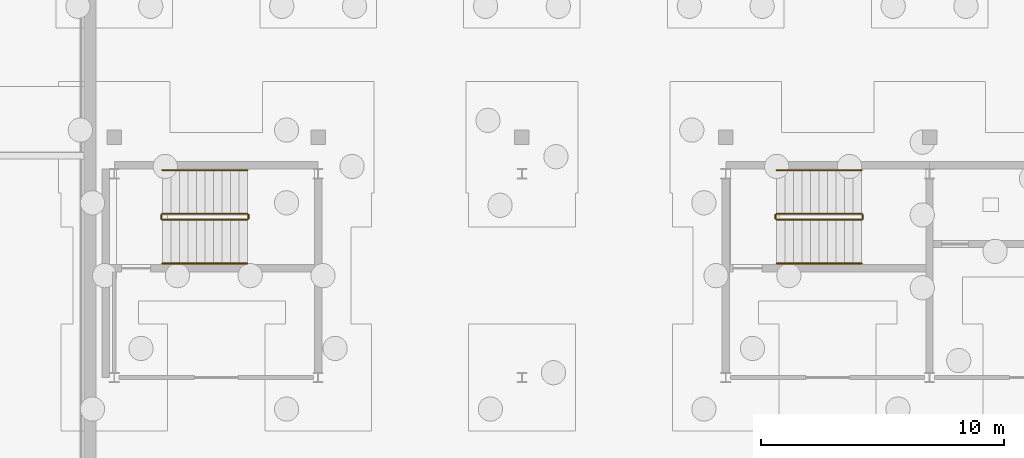
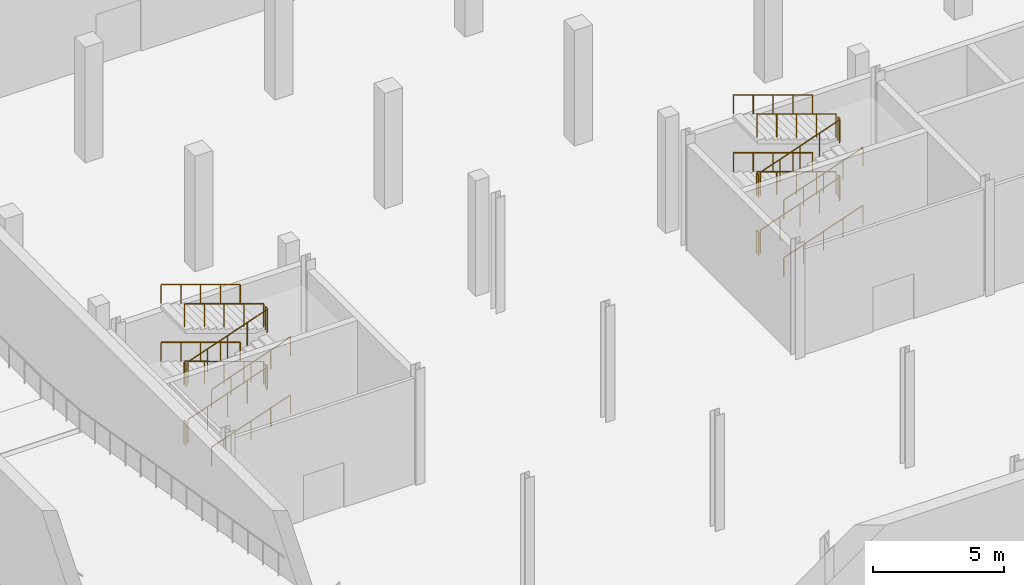
# One storey, part 25 of 29: 24 railings.
"""IFC4 building model written with IfcOpenShell, lengths in metres."""

from ifc_helpers import new_model, si_unit, direction, frame, origin, origin_2d, place, context, subcontext, project, spatial, circle, extrude, material, type_object, element, save


model = new_model("IFC4")

# Units and contexts
model_context = context("Model", 3, precision=1e-05, world=origin(), true_north=direction((0.0, 1.0)))
body_context = subcontext(model_context, "Body", "Model", "MODEL_VIEW")
ifc_project = project(units=[si_unit("LENGTHUNIT", "METRE"), si_unit("AREAUNIT", "SQUARE_METRE"), si_unit("VOLUMEUNIT", "CUBIC_METRE"), si_unit("PLANEANGLEUNIT", "RADIAN"), si_unit("MASSUNIT", "GRAM", prefix="KILO")], contexts=[model_context])

# Site, building, storey
site_placement = place(None, origin())
site = spatial("IfcSite", under=ifc_project, at=site_placement, CompositionType="ELEMENT")
building_placement = place(site_placement, origin())
building = spatial("IfcBuilding", under=site, at=building_placement, Name="Cresset Court Congress Hotel", CompositionType="ELEMENT")
storey_placement = place(building_placement, frame((0.0, 0.0, -5.39990234375)))
storey = spatial("IfcBuildingStorey", under=building, at=storey_placement, Name="B1", CompositionType="ELEMENT", Elevation=-5.39990234375)

# Railings
ifc_material_1 = material(Name="Steel and laminated glass", Category="steel")
railing_type_1 = type_object("IfcRailingType", Name="Guard 1100 steel and glass", PredefinedType="GUARDRAIL", material=ifc_material_1)
railing_1_placement = place(storey_placement, frame((10.3798828125, 23.300048828125, 0.12255859375)))
element("IfcRailing", 1, at=railing_1_placement, inside=storey, type_object=railing_type_1, Name="B1 ST-B1 stair guard 1", PredefinedType="GUARDRAIL", context=body_context, shape_type="SweptSolid", body=[
    extrude(circle(Radius=0.02392578125, at=origin_2d()), frame((0.0, 0.0, 1.076171875), z_axis=(0.943665265509, 0.0, 0.33090159666), x_axis=(0.0, 1.0, 0.0)), (0.0, 0.0, 1.0), 3.708984375),
    extrude(circle(Radius=0.02099609375, at=origin_2d()), origin(), (0.0, 0.0, 1.0), 1.052001953125),
    extrude(circle(Radius=0.02099609375, at=origin_2d()), frame((0.875, 0.0, 0.306884765625)), (0.0, 0.0, 1.0), 1.052001953125),
    extrude(circle(Radius=0.02099609375, at=origin_2d()), frame((1.75, 0.0, 0.61376953125)), (0.0, 0.0, 1.0), 1.052001953125),
    extrude(circle(Radius=0.02099609375, at=origin_2d()), frame((2.625, 0.0, 0.92041015625)), (0.0, 0.0, 1.0), 1.052001953125),
    extrude(circle(Radius=0.02099609375, at=origin_2d()), frame((3.5, 0.0, 1.227294921875)), (0.0, 0.0, 1.0), 1.052001953125),
])
railing_2_placement = place(storey_placement, frame((13.929931640625, 23.35009765625, 1.349853515625)))
element("IfcRailing", 2, at=railing_2_placement, inside=storey, type_object=railing_type_1, Name="B1 ST-B1 stair guard 2", PredefinedType="GUARDRAIL", context=body_context, shape_type="SweptSolid", body=[
    extrude(circle(Radius=0.02392578125, at=origin_2d()), frame((0.0, 0.0, 1.076171875), z_axis=(0.0, 1.0, 0.0), x_axis=(-1.0, 0.0, 0.0)), (0.0, 0.0, 1.0), 0.14990234375),
    extrude(circle(Radius=0.02099609375, at=origin_2d()), origin(), (0.0, 0.0, 1.0), 1.052001953125),
    extrude(circle(Radius=0.02099609375, at=origin_2d()), frame((0.0, 0.14990234375, 0.0)), (0.0, 0.0, 1.0), 1.052001953125),
])
railing_3_placement = place(storey_placement, frame((13.8798828125, 23.550048828125, 1.47265625)))
element("IfcRailing", 3, at=railing_3_placement, inside=storey, type_object=railing_type_1, Name="B1 ST-B1 stair guard 3", PredefinedType="GUARDRAIL", context=body_context, shape_type="SweptSolid", body=[
    extrude(circle(Radius=0.02392578125, at=origin_2d()), frame((0.0, 0.0, 1.076171875), z_axis=(-0.943665265509, 0.0, 0.33090159666), x_axis=(0.0, -1.0, 0.0)), (0.0, 0.0, 1.0), 3.708984375),
    extrude(circle(Radius=0.02099609375, at=origin_2d()), origin(), (0.0, 0.0, 1.0), 1.052001953125),
    extrude(circle(Radius=0.02099609375, at=origin_2d()), frame((-0.875, 0.0, 0.306884765625)), (0.0, 0.0, 1.0), 1.052001953125),
    extrude(circle(Radius=0.02099609375, at=origin_2d()), frame((-1.75, 0.0, 0.61376953125)), (0.0, 0.0, 1.0), 1.052001953125),
    extrude(circle(Radius=0.02099609375, at=origin_2d()), frame((-2.625, 0.0, 0.92041015625)), (0.0, 0.0, 1.0), 1.052001953125),
    extrude(circle(Radius=0.02099609375, at=origin_2d()), frame((-3.5, 0.0, 1.227294921875)), (0.0, 0.0, 1.0), 1.052001953125),
])
railing_4_placement = place(storey_placement, frame((10.330078125, 23.35009765625, 2.699951171875)))
element("IfcRailing", 4, at=railing_4_placement, inside=storey, type_object=railing_type_1, Name="B1 ST-B1 stair guard 4", PredefinedType="GUARDRAIL", context=body_context, shape_type="SweptSolid", body=[
    extrude(circle(Radius=0.02392578125, at=origin_2d()), frame((0.0, 0.0, 1.076171875), z_axis=(0.0, 1.0, 0.0), x_axis=(-1.0, 0.0, 0.0)), (0.0, 0.0, 1.0), 0.14990234375),
    extrude(circle(Radius=0.02099609375, at=origin_2d()), origin(), (0.0, 0.0, 1.0), 1.052001953125),
    extrude(circle(Radius=0.02099609375, at=origin_2d()), frame((0.0, 0.14990234375, 0.0)), (0.0, 0.0, 1.0), 1.052001953125),
])
railing_5_placement = place(storey_placement, frame((10.3798828125, 23.300048828125, 2.822509765625)))
element("IfcRailing", 5, at=railing_5_placement, inside=storey, type_object=railing_type_1, Name="B1 ST-B1 stair guard 5", PredefinedType="GUARDRAIL", context=body_context, shape_type="SweptSolid", body=[
    extrude(circle(Radius=0.02392578125, at=origin_2d()), frame((0.0, 0.0, 1.076171875), z_axis=(0.943665265509, 0.0, 0.33090159666), x_axis=(0.0, 1.0, 0.0)), (0.0, 0.0, 1.0), 3.708984375),
    extrude(circle(Radius=0.02099609375, at=origin_2d()), origin(), (0.0, 0.0, 1.0), 1.052001953125),
    extrude(circle(Radius=0.02099609375, at=origin_2d()), frame((0.875, 0.0, 0.306884765625)), (0.0, 0.0, 1.0), 1.052001953125),
    extrude(circle(Radius=0.02099609375, at=origin_2d()), frame((1.75, 0.0, 0.61376953125)), (0.0, 0.0, 1.0), 1.052001953125),
    extrude(circle(Radius=0.02099609375, at=origin_2d()), frame((2.625, 0.0, 0.92041015625)), (0.0, 0.0, 1.0), 1.052001953125),
    extrude(circle(Radius=0.02099609375, at=origin_2d()), frame((3.5, 0.0, 1.227294921875)), (0.0, 0.0, 1.0), 1.052001953125),
])
railing_6_placement = place(storey_placement, frame((13.929931640625, 23.35009765625, 4.0498046875)))
element("IfcRailing", 6, at=railing_6_placement, inside=storey, type_object=railing_type_1, Name="B1 ST-B1 stair guard 6", PredefinedType="GUARDRAIL", context=body_context, shape_type="SweptSolid", body=[
    extrude(circle(Radius=0.02392578125, at=origin_2d()), frame((0.0, 0.0, 1.076171875), z_axis=(0.0, 1.0, 0.0), x_axis=(-1.0, 0.0, 0.0)), (0.0, 0.0, 1.0), 0.14990234375),
    extrude(circle(Radius=0.02099609375, at=origin_2d()), origin(), (0.0, 0.0, 1.0), 1.052001953125),
    extrude(circle(Radius=0.02099609375, at=origin_2d()), frame((0.0, 0.14990234375, 0.0)), (0.0, 0.0, 1.0), 1.052001953125),
])
railing_7_placement = place(storey_placement, frame((13.8798828125, 23.550048828125, 4.172607421875)))
element("IfcRailing", 7, at=railing_7_placement, inside=storey, type_object=railing_type_1, Name="B1 ST-B1 stair guard 7", PredefinedType="GUARDRAIL", context=body_context, shape_type="SweptSolid", body=[
    extrude(circle(Radius=0.02392578125, at=origin_2d()), frame((0.0, 0.0, 1.076171875), z_axis=(-0.943665265509, 0.0, 0.33090159666), x_axis=(0.0, -1.0, 0.0)), (0.0, 0.0, 1.0), 3.708984375),
    extrude(circle(Radius=0.02099609375, at=origin_2d()), origin(), (0.0, 0.0, 1.0), 1.052001953125),
    extrude(circle(Radius=0.02099609375, at=origin_2d()), frame((-0.875, 0.0, 0.306884765625)), (0.0, 0.0, 1.0), 1.052001953125),
    extrude(circle(Radius=0.02099609375, at=origin_2d()), frame((-1.75, 0.0, 0.61376953125)), (0.0, 0.0, 1.0), 1.052001953125),
    extrude(circle(Radius=0.02099609375, at=origin_2d()), frame((-2.625, 0.0, 0.92041015625)), (0.0, 0.0, 1.0), 1.052001953125),
    extrude(circle(Radius=0.02099609375, at=origin_2d()), frame((-3.5, 0.0, 1.227294921875)), (0.0, 0.0, 1.0), 1.052001953125),
])
railing_8_placement = place(storey_placement, frame((10.330078125, 23.35009765625, 0.0)))
element("IfcRailing", 8, at=railing_8_placement, inside=storey, type_object=railing_type_1, Name="B1 ST-B1 stair guard 8", PredefinedType="GUARDRAIL", context=body_context, shape_type="SweptSolid", body=[
    extrude(circle(Radius=0.02392578125, at=origin_2d()), frame((0.0, 0.0, 1.076171875), z_axis=(0.0, 1.0, 0.0), x_axis=(-1.0, 0.0, 0.0)), (0.0, 0.0, 1.0), 0.14990234375),
    extrude(circle(Radius=0.02099609375, at=origin_2d()), origin(), (0.0, 0.0, 1.0), 1.052001953125),
    extrude(circle(Radius=0.02099609375, at=origin_2d()), frame((0.0, 0.14990234375, 0.0)), (0.0, 0.0, 1.0), 1.052001953125),
])
railing_9_placement = place(storey_placement, frame((35.699951171875, 23.300048828125, 0.12255859375)))
element("IfcRailing", 9, at=railing_9_placement, inside=storey, type_object=railing_type_1, Name="B1 ST-B2 stair guard 1", PredefinedType="GUARDRAIL", context=body_context, shape_type="SweptSolid", body=[
    extrude(circle(Radius=0.02392578125, at=origin_2d()), frame((0.0, 0.0, 1.076171875), z_axis=(0.943665265509, 0.0, 0.33090159666), x_axis=(0.0, 1.0, 0.0)), (0.0, 0.0, 1.0), 3.708984375),
    extrude(circle(Radius=0.02099609375, at=origin_2d()), origin(), (0.0, 0.0, 1.0), 1.052001953125),
    extrude(circle(Radius=0.02099609375, at=origin_2d()), frame((0.875, 0.0, 0.306884765625)), (0.0, 0.0, 1.0), 1.052001953125),
    extrude(circle(Radius=0.02099609375, at=origin_2d()), frame((1.75, 0.0, 0.61376953125)), (0.0, 0.0, 1.0), 1.052001953125),
    extrude(circle(Radius=0.02099609375, at=origin_2d()), frame((2.625, 0.0, 0.92041015625)), (0.0, 0.0, 1.0), 1.052001953125),
    extrude(circle(Radius=0.02099609375, at=origin_2d()), frame((3.5, 0.0, 1.227294921875)), (0.0, 0.0, 1.0), 1.052001953125),
])
railing_10_placement = place(storey_placement, frame((39.25, 23.35009765625, 1.349853515625)))
element("IfcRailing", 10, at=railing_10_placement, inside=storey, type_object=railing_type_1, Name="B1 ST-B2 stair guard 2", PredefinedType="GUARDRAIL", context=body_context, shape_type="SweptSolid", body=[
    extrude(circle(Radius=0.02392578125, at=origin_2d()), frame((0.0, 0.0, 1.076171875), z_axis=(0.0, 1.0, 0.0), x_axis=(-1.0, 0.0, 0.0)), (0.0, 0.0, 1.0), 0.14990234375),
    extrude(circle(Radius=0.02099609375, at=origin_2d()), origin(), (0.0, 0.0, 1.0), 1.052001953125),
    extrude(circle(Radius=0.02099609375, at=origin_2d()), frame((0.0, 0.14990234375, 0.0)), (0.0, 0.0, 1.0), 1.052001953125),
])
railing_11_placement = place(storey_placement, frame((39.199951171875, 23.550048828125, 1.47265625)))
element("IfcRailing", 11, at=railing_11_placement, inside=storey, type_object=railing_type_1, Name="B1 ST-B2 stair guard 3", PredefinedType="GUARDRAIL", context=body_context, shape_type="SweptSolid", body=[
    extrude(circle(Radius=0.02392578125, at=origin_2d()), frame((0.0, 0.0, 1.076171875), z_axis=(-0.943665265509, 0.0, 0.33090159666), x_axis=(0.0, -1.0, 0.0)), (0.0, 0.0, 1.0), 3.708984375),
    extrude(circle(Radius=0.02099609375, at=origin_2d()), origin(), (0.0, 0.0, 1.0), 1.052001953125),
    extrude(circle(Radius=0.02099609375, at=origin_2d()), frame((-0.875, 0.0, 0.306884765625)), (0.0, 0.0, 1.0), 1.052001953125),
    extrude(circle(Radius=0.02099609375, at=origin_2d()), frame((-1.75, 0.0, 0.61376953125)), (0.0, 0.0, 1.0), 1.052001953125),
    extrude(circle(Radius=0.02099609375, at=origin_2d()), frame((-2.625, 0.0, 0.92041015625)), (0.0, 0.0, 1.0), 1.052001953125),
    extrude(circle(Radius=0.02099609375, at=origin_2d()), frame((-3.5, 0.0, 1.227294921875)), (0.0, 0.0, 1.0), 1.052001953125),
])
railing_12_placement = place(storey_placement, frame((35.64990234375, 23.35009765625, 2.699951171875)))
element("IfcRailing", 12, at=railing_12_placement, inside=storey, type_object=railing_type_1, Name="B1 ST-B2 stair guard 4", PredefinedType="GUARDRAIL", context=body_context, shape_type="SweptSolid", body=[
    extrude(circle(Radius=0.02392578125, at=origin_2d()), frame((0.0, 0.0, 1.076171875), z_axis=(0.0, 1.0, 0.0), x_axis=(-1.0, 0.0, 0.0)), (0.0, 0.0, 1.0), 0.14990234375),
    extrude(circle(Radius=0.02099609375, at=origin_2d()), origin(), (0.0, 0.0, 1.0), 1.052001953125),
    extrude(circle(Radius=0.02099609375, at=origin_2d()), frame((0.0, 0.14990234375, 0.0)), (0.0, 0.0, 1.0), 1.052001953125),
])
railing_13_placement = place(storey_placement, frame((35.699951171875, 23.300048828125, 2.822509765625)))
element("IfcRailing", 13, at=railing_13_placement, inside=storey, type_object=railing_type_1, Name="B1 ST-B2 stair guard 5", PredefinedType="GUARDRAIL", context=body_context, shape_type="SweptSolid", body=[
    extrude(circle(Radius=0.02392578125, at=origin_2d()), frame((0.0, 0.0, 1.076171875), z_axis=(0.943665265509, 0.0, 0.33090159666), x_axis=(0.0, 1.0, 0.0)), (0.0, 0.0, 1.0), 3.708984375),
    extrude(circle(Radius=0.02099609375, at=origin_2d()), origin(), (0.0, 0.0, 1.0), 1.052001953125),
    extrude(circle(Radius=0.02099609375, at=origin_2d()), frame((0.875, 0.0, 0.306884765625)), (0.0, 0.0, 1.0), 1.052001953125),
    extrude(circle(Radius=0.02099609375, at=origin_2d()), frame((1.75, 0.0, 0.61376953125)), (0.0, 0.0, 1.0), 1.052001953125),
    extrude(circle(Radius=0.02099609375, at=origin_2d()), frame((2.625, 0.0, 0.92041015625)), (0.0, 0.0, 1.0), 1.052001953125),
    extrude(circle(Radius=0.02099609375, at=origin_2d()), frame((3.5, 0.0, 1.227294921875)), (0.0, 0.0, 1.0), 1.052001953125),
])
railing_14_placement = place(storey_placement, frame((39.25, 23.35009765625, 4.0498046875)))
element("IfcRailing", 14, at=railing_14_placement, inside=storey, type_object=railing_type_1, Name="B1 ST-B2 stair guard 6", PredefinedType="GUARDRAIL", context=body_context, shape_type="SweptSolid", body=[
    extrude(circle(Radius=0.02392578125, at=origin_2d()), frame((0.0, 0.0, 1.076171875), z_axis=(0.0, 1.0, 0.0), x_axis=(-1.0, 0.0, 0.0)), (0.0, 0.0, 1.0), 0.14990234375),
    extrude(circle(Radius=0.02099609375, at=origin_2d()), origin(), (0.0, 0.0, 1.0), 1.052001953125),
    extrude(circle(Radius=0.02099609375, at=origin_2d()), frame((0.0, 0.14990234375, 0.0)), (0.0, 0.0, 1.0), 1.052001953125),
])
railing_15_placement = place(storey_placement, frame((39.199951171875, 23.550048828125, 4.172607421875)))
element("IfcRailing", 15, at=railing_15_placement, inside=storey, type_object=railing_type_1, Name="B1 ST-B2 stair guard 7", PredefinedType="GUARDRAIL", context=body_context, shape_type="SweptSolid", body=[
    extrude(circle(Radius=0.02392578125, at=origin_2d()), frame((0.0, 0.0, 1.076171875), z_axis=(-0.943665265509, 0.0, 0.33090159666), x_axis=(0.0, -1.0, 0.0)), (0.0, 0.0, 1.0), 3.708984375),
    extrude(circle(Radius=0.02099609375, at=origin_2d()), origin(), (0.0, 0.0, 1.0), 1.052001953125),
    extrude(circle(Radius=0.02099609375, at=origin_2d()), frame((-0.875, 0.0, 0.306884765625)), (0.0, 0.0, 1.0), 1.052001953125),
    extrude(circle(Radius=0.02099609375, at=origin_2d()), frame((-1.75, 0.0, 0.61376953125)), (0.0, 0.0, 1.0), 1.052001953125),
    extrude(circle(Radius=0.02099609375, at=origin_2d()), frame((-2.625, 0.0, 0.92041015625)), (0.0, 0.0, 1.0), 1.052001953125),
    extrude(circle(Radius=0.02099609375, at=origin_2d()), frame((-3.5, 0.0, 1.227294921875)), (0.0, 0.0, 1.0), 1.052001953125),
])
railing_16_placement = place(storey_placement, frame((35.64990234375, 23.35009765625, 0.0)))
element("IfcRailing", 16, at=railing_16_placement, inside=storey, type_object=railing_type_1, Name="B1 ST-B2 stair guard 8", PredefinedType="GUARDRAIL", context=body_context, shape_type="SweptSolid", body=[
    extrude(circle(Radius=0.02392578125, at=origin_2d()), frame((0.0, 0.0, 1.076171875), z_axis=(0.0, 1.0, 0.0), x_axis=(-1.0, 0.0, 0.0)), (0.0, 0.0, 1.0), 0.14990234375),
    extrude(circle(Radius=0.02099609375, at=origin_2d()), origin(), (0.0, 0.0, 1.0), 1.052001953125),
    extrude(circle(Radius=0.02099609375, at=origin_2d()), frame((0.0, 0.14990234375, 0.0)), (0.0, 0.0, 1.0), 1.052001953125),
])
ifc_material_2 = material(Name="Stainless steel", Category="steel")
railing_type_2 = type_object("IfcRailingType", Name="Handrail 48 stainless", PredefinedType="HANDRAIL", material=ifc_material_2)
railing_17_placement = place(storey_placement, frame((10.3798828125, 21.5, 0.12255859375)))
element("IfcRailing", 17, at=railing_17_placement, inside=storey, type_object=railing_type_2, Name="B1 ST-B1 stair handrail 1", PredefinedType="HANDRAIL", context=body_context, shape_type="SweptSolid", body=[
    extrude(circle(Radius=0.02392578125, at=origin_2d()), frame((0.0, 0.0, 0.8759765625), z_axis=(0.943665265509, 0.0, 0.33090159666), x_axis=(0.0, 1.0, 0.0)), (0.0, 0.0, 1.0), 3.708984375),
    extrude(circle(Radius=0.02099609375, at=origin_2d()), origin(), (0.0, 0.0, 1.0), 0.851806640625),
    extrude(circle(Radius=0.02099609375, at=origin_2d()), frame((0.875, 0.0, 0.306884765625)), (0.0, 0.0, 1.0), 0.851806640625),
    extrude(circle(Radius=0.02099609375, at=origin_2d()), frame((1.75, 0.0, 0.61376953125)), (0.0, 0.0, 1.0), 0.851806640625),
    extrude(circle(Radius=0.02099609375, at=origin_2d()), frame((2.625, 0.0, 0.92041015625)), (0.0, 0.0, 1.0), 0.851806640625),
    extrude(circle(Radius=0.02099609375, at=origin_2d()), frame((3.5, 0.0, 1.227294921875)), (0.0, 0.0, 1.0), 0.851806640625),
])
railing_18_placement = place(storey_placement, frame((13.8798828125, 25.35009765625, 1.47265625)))
element("IfcRailing", 18, at=railing_18_placement, inside=storey, type_object=railing_type_2, Name="B1 ST-B1 stair handrail 2", PredefinedType="HANDRAIL", context=body_context, shape_type="SweptSolid", body=[
    extrude(circle(Radius=0.02392578125, at=origin_2d()), frame((0.0, 0.0, 0.8759765625), z_axis=(-0.943665265509, 0.0, 0.33090159666), x_axis=(0.0, -1.0, 0.0)), (0.0, 0.0, 1.0), 3.708984375),
    extrude(circle(Radius=0.02099609375, at=origin_2d()), origin(), (0.0, 0.0, 1.0), 0.851806640625),
    extrude(circle(Radius=0.02099609375, at=origin_2d()), frame((-0.875, 0.0, 0.306884765625)), (0.0, 0.0, 1.0), 0.851806640625),
    extrude(circle(Radius=0.02099609375, at=origin_2d()), frame((-1.75, 0.0, 0.61376953125)), (0.0, 0.0, 1.0), 0.851806640625),
    extrude(circle(Radius=0.02099609375, at=origin_2d()), frame((-2.625, 0.0, 0.92041015625)), (0.0, 0.0, 1.0), 0.851806640625),
    extrude(circle(Radius=0.02099609375, at=origin_2d()), frame((-3.5, 0.0, 1.227294921875)), (0.0, 0.0, 1.0), 0.851806640625),
])
railing_19_placement = place(storey_placement, frame((10.3798828125, 21.5, 2.822509765625)))
element("IfcRailing", 19, at=railing_19_placement, inside=storey, type_object=railing_type_2, Name="B1 ST-B1 stair handrail 3", PredefinedType="HANDRAIL", context=body_context, shape_type="SweptSolid", body=[
    extrude(circle(Radius=0.02392578125, at=origin_2d()), frame((0.0, 0.0, 0.8759765625), z_axis=(0.943665265509, 0.0, 0.33090159666), x_axis=(0.0, 1.0, 0.0)), (0.0, 0.0, 1.0), 3.708984375),
    extrude(circle(Radius=0.02099609375, at=origin_2d()), origin(), (0.0, 0.0, 1.0), 0.851806640625),
    extrude(circle(Radius=0.02099609375, at=origin_2d()), frame((0.875, 0.0, 0.306884765625)), (0.0, 0.0, 1.0), 0.851806640625),
    extrude(circle(Radius=0.02099609375, at=origin_2d()), frame((1.75, 0.0, 0.61376953125)), (0.0, 0.0, 1.0), 0.851806640625),
    extrude(circle(Radius=0.02099609375, at=origin_2d()), frame((2.625, 0.0, 0.92041015625)), (0.0, 0.0, 1.0), 0.851806640625),
    extrude(circle(Radius=0.02099609375, at=origin_2d()), frame((3.5, 0.0, 1.227294921875)), (0.0, 0.0, 1.0), 0.851806640625),
])
railing_20_placement = place(storey_placement, frame((13.8798828125, 25.35009765625, 4.172607421875)))
element("IfcRailing", 20, at=railing_20_placement, inside=storey, type_object=railing_type_2, Name="B1 ST-B1 stair handrail 4", PredefinedType="HANDRAIL", context=body_context, shape_type="SweptSolid", body=[
    extrude(circle(Radius=0.02392578125, at=origin_2d()), frame((0.0, 0.0, 0.8759765625), z_axis=(-0.943665265509, 0.0, 0.33090159666), x_axis=(0.0, -1.0, 0.0)), (0.0, 0.0, 1.0), 3.708984375),
    extrude(circle(Radius=0.02099609375, at=origin_2d()), origin(), (0.0, 0.0, 1.0), 0.851806640625),
    extrude(circle(Radius=0.02099609375, at=origin_2d()), frame((-0.875, 0.0, 0.306884765625)), (0.0, 0.0, 1.0), 0.851806640625),
    extrude(circle(Radius=0.02099609375, at=origin_2d()), frame((-1.75, 0.0, 0.61376953125)), (0.0, 0.0, 1.0), 0.851806640625),
    extrude(circle(Radius=0.02099609375, at=origin_2d()), frame((-2.625, 0.0, 0.92041015625)), (0.0, 0.0, 1.0), 0.851806640625),
    extrude(circle(Radius=0.02099609375, at=origin_2d()), frame((-3.5, 0.0, 1.227294921875)), (0.0, 0.0, 1.0), 0.851806640625),
])
railing_21_placement = place(storey_placement, frame((35.699951171875, 21.5, 0.12255859375)))
element("IfcRailing", 21, at=railing_21_placement, inside=storey, type_object=railing_type_2, Name="B1 ST-B2 stair handrail 1", PredefinedType="HANDRAIL", context=body_context, shape_type="SweptSolid", body=[
    extrude(circle(Radius=0.02392578125, at=origin_2d()), frame((0.0, 0.0, 0.8759765625), z_axis=(0.943665265509, 0.0, 0.33090159666), x_axis=(0.0, 1.0, 0.0)), (0.0, 0.0, 1.0), 3.708984375),
    extrude(circle(Radius=0.02099609375, at=origin_2d()), origin(), (0.0, 0.0, 1.0), 0.851806640625),
    extrude(circle(Radius=0.02099609375, at=origin_2d()), frame((0.875, 0.0, 0.306884765625)), (0.0, 0.0, 1.0), 0.851806640625),
    extrude(circle(Radius=0.02099609375, at=origin_2d()), frame((1.75, 0.0, 0.61376953125)), (0.0, 0.0, 1.0), 0.851806640625),
    extrude(circle(Radius=0.02099609375, at=origin_2d()), frame((2.625, 0.0, 0.92041015625)), (0.0, 0.0, 1.0), 0.851806640625),
    extrude(circle(Radius=0.02099609375, at=origin_2d()), frame((3.5, 0.0, 1.227294921875)), (0.0, 0.0, 1.0), 0.851806640625),
])
railing_22_placement = place(storey_placement, frame((39.199951171875, 25.35009765625, 1.47265625)))
element("IfcRailing", 22, at=railing_22_placement, inside=storey, type_object=railing_type_2, Name="B1 ST-B2 stair handrail 2", PredefinedType="HANDRAIL", context=body_context, shape_type="SweptSolid", body=[
    extrude(circle(Radius=0.02392578125, at=origin_2d()), frame((0.0, 0.0, 0.8759765625), z_axis=(-0.943665265509, 0.0, 0.33090159666), x_axis=(0.0, -1.0, 0.0)), (0.0, 0.0, 1.0), 3.708984375),
    extrude(circle(Radius=0.02099609375, at=origin_2d()), origin(), (0.0, 0.0, 1.0), 0.851806640625),
    extrude(circle(Radius=0.02099609375, at=origin_2d()), frame((-0.875, 0.0, 0.306884765625)), (0.0, 0.0, 1.0), 0.851806640625),
    extrude(circle(Radius=0.02099609375, at=origin_2d()), frame((-1.75, 0.0, 0.61376953125)), (0.0, 0.0, 1.0), 0.851806640625),
    extrude(circle(Radius=0.02099609375, at=origin_2d()), frame((-2.625, 0.0, 0.92041015625)), (0.0, 0.0, 1.0), 0.851806640625),
    extrude(circle(Radius=0.02099609375, at=origin_2d()), frame((-3.5, 0.0, 1.227294921875)), (0.0, 0.0, 1.0), 0.851806640625),
])
railing_23_placement = place(storey_placement, frame((35.699951171875, 21.5, 2.822509765625)))
element("IfcRailing", 23, at=railing_23_placement, inside=storey, type_object=railing_type_2, Name="B1 ST-B2 stair handrail 3", PredefinedType="HANDRAIL", context=body_context, shape_type="SweptSolid", body=[
    extrude(circle(Radius=0.02392578125, at=origin_2d()), frame((0.0, 0.0, 0.8759765625), z_axis=(0.943665265509, 0.0, 0.33090159666), x_axis=(0.0, 1.0, 0.0)), (0.0, 0.0, 1.0), 3.708984375),
    extrude(circle(Radius=0.02099609375, at=origin_2d()), origin(), (0.0, 0.0, 1.0), 0.851806640625),
    extrude(circle(Radius=0.02099609375, at=origin_2d()), frame((0.875, 0.0, 0.306884765625)), (0.0, 0.0, 1.0), 0.851806640625),
    extrude(circle(Radius=0.02099609375, at=origin_2d()), frame((1.75, 0.0, 0.61376953125)), (0.0, 0.0, 1.0), 0.851806640625),
    extrude(circle(Radius=0.02099609375, at=origin_2d()), frame((2.625, 0.0, 0.92041015625)), (0.0, 0.0, 1.0), 0.851806640625),
    extrude(circle(Radius=0.02099609375, at=origin_2d()), frame((3.5, 0.0, 1.227294921875)), (0.0, 0.0, 1.0), 0.851806640625),
])
railing_24_placement = place(storey_placement, frame((39.199951171875, 25.35009765625, 4.172607421875)))
element("IfcRailing", 24, at=railing_24_placement, inside=storey, type_object=railing_type_2, Name="B1 ST-B2 stair handrail 4", PredefinedType="HANDRAIL", context=body_context, shape_type="SweptSolid", body=[
    extrude(circle(Radius=0.02392578125, at=origin_2d()), frame((0.0, 0.0, 0.8759765625), z_axis=(-0.943665265509, 0.0, 0.33090159666), x_axis=(0.0, -1.0, 0.0)), (0.0, 0.0, 1.0), 3.708984375),
    extrude(circle(Radius=0.02099609375, at=origin_2d()), origin(), (0.0, 0.0, 1.0), 0.851806640625),
    extrude(circle(Radius=0.02099609375, at=origin_2d()), frame((-0.875, 0.0, 0.306884765625)), (0.0, 0.0, 1.0), 0.851806640625),
    extrude(circle(Radius=0.02099609375, at=origin_2d()), frame((-1.75, 0.0, 0.61376953125)), (0.0, 0.0, 1.0), 0.851806640625),
    extrude(circle(Radius=0.02099609375, at=origin_2d()), frame((-2.625, 0.0, 0.92041015625)), (0.0, 0.0, 1.0), 0.851806640625),
    extrude(circle(Radius=0.02099609375, at=origin_2d()), frame((-3.5, 0.0, 1.227294921875)), (0.0, 0.0, 1.0), 0.851806640625),
])

save(model, "model.ifc")
